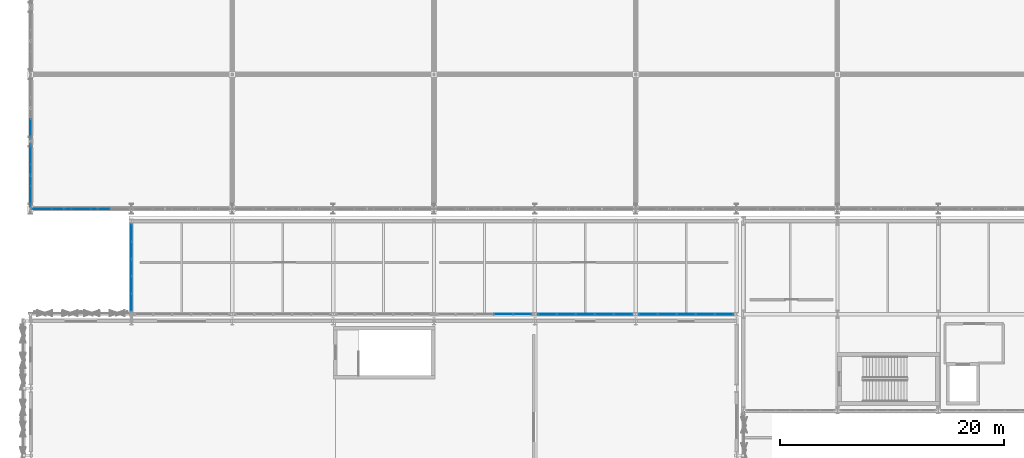
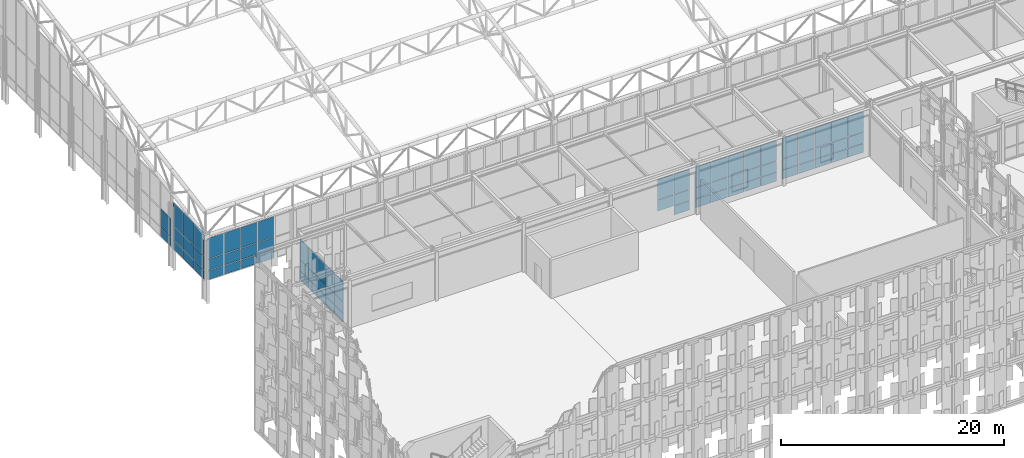
# One storey, part 179 of 239: 73 plates, 7 elements without a shape of their own.
"""IFC4 building model written with IfcOpenShell, lengths in metres."""

from ifc_helpers import new_model, si_unit, direction, frame, origin, origin_2d, place, context, subcontext, project, spatial, rectangle, extrude, material, type_object, element, aggregate, save


model = new_model("IFC4")

# Units and contexts
model_context = context("Model", 3, precision=1e-05, world=origin(), true_north=direction((0.0, 1.0)))
body_context = subcontext(model_context, "Body", "Model", "MODEL_VIEW")
ifc_project = project(units=[si_unit("LENGTHUNIT", "METRE"), si_unit("AREAUNIT", "SQUARE_METRE"), si_unit("VOLUMEUNIT", "CUBIC_METRE"), si_unit("PLANEANGLEUNIT", "RADIAN"), si_unit("MASSUNIT", "GRAM", prefix="KILO")], contexts=[model_context])

# Site, building, storey
site_placement = place(None, origin())
site = spatial("IfcSite", under=ifc_project, at=site_placement, CompositionType="ELEMENT")
building_placement = place(site_placement, origin())
building = spatial("IfcBuilding", under=site, at=building_placement, Name="Kaldris Quays Convention Centre", CompositionType="ELEMENT")
storey_placement = place(building_placement, frame((0.0, 0.0, 11.39990234375)))
storey = spatial("IfcBuildingStorey", under=building, at=storey_placement, Name="L02", CompositionType="ELEMENT", Elevation=11.39990234375)

# Curtain wall, plates
ifc_material_1 = material(Name="Anodized aluminium AW-6060 and triple glazing", Category="aluminium")
curtain_wall_type_1 = type_object("IfcCurtainWallType", Name="UNITISED CURTAIN WALL CW03", PredefinedType="NOTDEFINED", material=ifc_material_1)
curtain_wall_1_placement = place(storey_placement, origin())
curtain_wall_1 = element("IfcCurtainWall", 1, at=curtain_wall_1_placement, inside=storey, type_object=curtain_wall_type_1, Name="L02 Unitised Curtain Wall CW03 227", PredefinedType="NOTDEFINED")
ifc_material_2 = material(Name="Triple low-E insulated glazing", Category="glass")
plate_type_1 = type_object("IfcPlateType", Name="CURTAIN GLAZING PANEL CWP3", PredefinedType="CURTAIN_PANEL", material=ifc_material_2)
plate_1_placement = place(storey_placement, frame((21.027099609375, 56.0, 2.255126953125), z_axis=(0.0, 0.0, 1.0), x_axis=(1.0, 0.0, 0.0)))
plate_1 = element("IfcPlate", 2, at=plate_1_placement, type_object=plate_type_1, Name="CW03 panel 1.1", PredefinedType="CURTAIN_PANEL", context=body_context, shape_type="SweptSolid", body=[
    extrude(rectangle(XDim=1.654052734375, YDim=0.0390625, at=origin_2d()), origin(), (0.0, 0.0, 1.0), 0.9599609375),
])
plate_2_placement = place(storey_placement, frame((21.027099609375, 56.0, 3.27490234375), z_axis=(0.0, 0.0, 1.0), x_axis=(1.0, 0.0, 0.0)))
plate_2 = element("IfcPlate", 3, at=plate_2_placement, type_object=plate_type_1, Name="CW03 panel 1.2", PredefinedType="CURTAIN_PANEL", context=body_context, shape_type="SweptSolid", body=[
    extrude(rectangle(XDim=1.654052734375, YDim=0.0390625, at=origin_2d()), origin(), (0.0, 0.0, 1.0), 1.217041015625),
])
plate_3_placement = place(storey_placement, frame((21.027099609375, 56.0, 4.55224609375), z_axis=(0.0, 0.0, 1.0), x_axis=(1.0, 0.0, 0.0)))
plate_3 = element("IfcPlate", 4, at=plate_3_placement, type_object=plate_type_1, Name="CW03 panel 1.3", PredefinedType="CURTAIN_PANEL", context=body_context, shape_type="SweptSolid", body=[
    extrude(rectangle(XDim=1.654052734375, YDim=0.0390625, at=origin_2d()), origin(), (0.0, 0.0, 1.0), 2.238037109375),
])
plate_4_placement = place(storey_placement, frame((22.756103515625, 56.0, 2.255126953125), z_axis=(0.0, 0.0, 1.0), x_axis=(1.0, 0.0, 0.0)))
plate_4 = element("IfcPlate", 5, at=plate_4_placement, type_object=plate_type_1, Name="CW03 panel 2.1", PredefinedType="CURTAIN_PANEL", context=body_context, shape_type="SweptSolid", body=[
    extrude(rectangle(XDim=1.68408203125, YDim=0.0390625, at=origin_2d()), origin(), (0.0, 0.0, 1.0), 0.9599609375),
])
plate_5_placement = place(storey_placement, frame((22.756103515625, 56.0, 3.27490234375), z_axis=(0.0, 0.0, 1.0), x_axis=(1.0, 0.0, 0.0)))
plate_5 = element("IfcPlate", 6, at=plate_5_placement, type_object=plate_type_1, Name="CW03 panel 2.2", PredefinedType="CURTAIN_PANEL", context=body_context, shape_type="SweptSolid", body=[
    extrude(rectangle(XDim=1.68408203125, YDim=0.0390625, at=origin_2d()), origin(), (0.0, 0.0, 1.0), 1.217041015625),
])
plate_6_placement = place(storey_placement, frame((22.756103515625, 56.0, 4.55224609375), z_axis=(0.0, 0.0, 1.0), x_axis=(1.0, 0.0, 0.0)))
plate_6 = element("IfcPlate", 7, at=plate_6_placement, type_object=plate_type_1, Name="CW03 panel 2.3", PredefinedType="CURTAIN_PANEL", context=body_context, shape_type="SweptSolid", body=[
    extrude(rectangle(XDim=1.68408203125, YDim=0.0390625, at=origin_2d()), origin(), (0.0, 0.0, 1.0), 2.238037109375),
])
plate_7_placement = place(storey_placement, frame((24.5, 56.0, 2.255126953125), z_axis=(0.0, 0.0, 1.0), x_axis=(1.0, 0.0, 0.0)))
plate_7 = element("IfcPlate", 8, at=plate_7_placement, type_object=plate_type_1, Name="CW03 panel 3.1", PredefinedType="CURTAIN_PANEL", context=body_context, shape_type="SweptSolid", body=[
    extrude(rectangle(XDim=1.68408203125, YDim=0.0390625, at=origin_2d()), origin(), (0.0, 0.0, 1.0), 0.9599609375),
])
plate_8_placement = place(storey_placement, frame((24.5, 56.0, 3.27490234375), z_axis=(0.0, 0.0, 1.0), x_axis=(1.0, 0.0, 0.0)))
plate_8 = element("IfcPlate", 9, at=plate_8_placement, type_object=plate_type_1, Name="CW03 panel 3.2", PredefinedType="CURTAIN_PANEL", context=body_context, shape_type="SweptSolid", body=[
    extrude(rectangle(XDim=1.68408203125, YDim=0.0390625, at=origin_2d()), origin(), (0.0, 0.0, 1.0), 1.217041015625),
])
plate_9_placement = place(storey_placement, frame((24.5, 56.0, 4.55224609375), z_axis=(0.0, 0.0, 1.0), x_axis=(1.0, 0.0, 0.0)))
plate_9 = element("IfcPlate", 10, at=plate_9_placement, type_object=plate_type_1, Name="CW03 panel 3.3", PredefinedType="CURTAIN_PANEL", context=body_context, shape_type="SweptSolid", body=[
    extrude(rectangle(XDim=1.68408203125, YDim=0.0390625, at=origin_2d()), origin(), (0.0, 0.0, 1.0), 2.238037109375),
])
plate_10_placement = place(storey_placement, frame((26.243896484375, 56.0, 2.255126953125), z_axis=(0.0, 0.0, 1.0), x_axis=(1.0, 0.0, 0.0)))
plate_10 = element("IfcPlate", 11, at=plate_10_placement, type_object=plate_type_1, Name="CW03 panel 4.1", PredefinedType="CURTAIN_PANEL", context=body_context, shape_type="SweptSolid", body=[
    extrude(rectangle(XDim=1.68408203125, YDim=0.0390625, at=origin_2d()), origin(), (0.0, 0.0, 1.0), 0.9599609375),
])
plate_11_placement = place(storey_placement, frame((26.243896484375, 56.0, 3.27490234375), z_axis=(0.0, 0.0, 1.0), x_axis=(1.0, 0.0, 0.0)))
plate_11 = element("IfcPlate", 12, at=plate_11_placement, type_object=plate_type_1, Name="CW03 panel 4.2", PredefinedType="CURTAIN_PANEL", context=body_context, shape_type="SweptSolid", body=[
    extrude(rectangle(XDim=1.68408203125, YDim=0.0390625, at=origin_2d()), origin(), (0.0, 0.0, 1.0), 1.217041015625),
])
plate_12_placement = place(storey_placement, frame((26.243896484375, 56.0, 4.55224609375), z_axis=(0.0, 0.0, 1.0), x_axis=(1.0, 0.0, 0.0)))
plate_12 = element("IfcPlate", 13, at=plate_12_placement, type_object=plate_type_1, Name="CW03 panel 4.3", PredefinedType="CURTAIN_PANEL", context=body_context, shape_type="SweptSolid", body=[
    extrude(rectangle(XDim=1.68408203125, YDim=0.0390625, at=origin_2d()), origin(), (0.0, 0.0, 1.0), 2.238037109375),
])
aggregate(curtain_wall_1, [plate_1, plate_2, plate_3, plate_4, plate_5, plate_6, plate_7, plate_8, plate_9, plate_10, plate_11, plate_12])

curtain_wall_type_2 = type_object("IfcCurtainWallType", Name="UNITISED CURTAIN WALL CW02", PredefinedType="NOTDEFINED", material=ifc_material_1)
curtain_wall_2_placement = place(storey_placement, origin())
curtain_wall_2 = element("IfcCurtainWall", 14, at=curtain_wall_2_placement, inside=storey, type_object=curtain_wall_type_2, Name="L02 Unitised Curtain Wall CW02 100", PredefinedType="NOTDEFINED")
plate_type_2 = type_object("IfcPlateType", Name="CURTAIN GLAZING PANEL CWP4", PredefinedType="CURTAIN_PANEL", material=ifc_material_2)
plate_13_placement = place(storey_placement, frame((62.199951171875, 46.60009765625, 1.080078125), z_axis=(0.0, 0.0, 1.0), x_axis=(1.0, 0.0, 0.0)))
plate_13 = element("IfcPlate", 15, at=plate_13_placement, type_object=plate_type_2, Name="CW02 panel 4.2", PredefinedType="CURTAIN_PANEL", context=body_context, shape_type="SweptSolid", body=[
    extrude(rectangle(XDim=1.639892578125, YDim=0.0439453125, at=origin_2d()), origin(), (0.0, 0.0, 1.0), 1.178955078125),
])
plate_14_placement = place(storey_placement, frame((62.199951171875, 46.60009765625, 2.3193359375), z_axis=(0.0, 0.0, 1.0), x_axis=(1.0, 0.0, 0.0)))
plate_14 = element("IfcPlate", 16, at=plate_14_placement, type_object=plate_type_2, Name="CW02 panel 4.3", PredefinedType="CURTAIN_PANEL", context=body_context, shape_type="SweptSolid", body=[
    extrude(rectangle(XDim=1.639892578125, YDim=0.0439453125, at=origin_2d()), origin(), (0.0, 0.0, 1.0), 2.198974609375),
])
plate_15_placement = place(storey_placement, frame((63.885009765625, 46.60009765625, 0.06005859375), z_axis=(0.0, 0.0, 1.0), x_axis=(1.0, 0.0, 0.0)))
plate_15 = element("IfcPlate", 17, at=plate_15_placement, type_object=plate_type_2, Name="CW02 panel 5.1", PredefinedType="CURTAIN_PANEL", context=body_context, shape_type="SweptSolid", body=[
    extrude(rectangle(XDim=1.610107421875, YDim=0.0439453125, at=origin_2d()), origin(), (0.0, 0.0, 1.0), 0.9599609375),
])
plate_16_placement = place(storey_placement, frame((63.885009765625, 46.60009765625, 1.080078125), z_axis=(0.0, 0.0, 1.0), x_axis=(1.0, 0.0, 0.0)))
plate_16 = element("IfcPlate", 18, at=plate_16_placement, type_object=plate_type_2, Name="CW02 panel 5.2", PredefinedType="CURTAIN_PANEL", context=body_context, shape_type="SweptSolid", body=[
    extrude(rectangle(XDim=1.610107421875, YDim=0.0439453125, at=origin_2d()), origin(), (0.0, 0.0, 1.0), 1.178955078125),
])
plate_17_placement = place(storey_placement, frame((63.885009765625, 46.60009765625, 2.3193359375), z_axis=(0.0, 0.0, 1.0), x_axis=(1.0, 0.0, 0.0)))
plate_17 = element("IfcPlate", 19, at=plate_17_placement, type_object=plate_type_2, Name="CW02 panel 5.3", PredefinedType="CURTAIN_PANEL", context=body_context, shape_type="SweptSolid", body=[
    extrude(rectangle(XDim=1.610107421875, YDim=0.0439453125, at=origin_2d()), origin(), (0.0, 0.0, 1.0), 2.198974609375),
])
aggregate(curtain_wall_2, [plate_13, plate_14, plate_15, plate_16, plate_17])

curtain_wall_3_placement = place(storey_placement, origin())
curtain_wall_3 = element("IfcCurtainWall", 20, at=curtain_wall_3_placement, inside=storey, type_object=curtain_wall_type_2, Name="L02 Unitised Curtain Wall CW02 101", PredefinedType="NOTDEFINED")
plate_type_3 = type_object("IfcPlateType", Name="CURTAIN GLAZING PANEL CWP5", PredefinedType="CURTAIN_PANEL", material=ifc_material_2)
plate_18_placement = place(storey_placement, frame((66.114990234375, 46.60009765625, 0.06005859375), z_axis=(0.0, 0.0, 1.0), x_axis=(1.0, 0.0, 0.0)))
plate_18 = element("IfcPlate", 21, at=plate_18_placement, type_object=plate_type_3, Name="CW02 panel 1.1", PredefinedType="CURTAIN_PANEL", context=body_context, shape_type="SweptSolid", body=[
    extrude(rectangle(XDim=1.610107421875, YDim=0.049072265625, at=origin_2d()), origin(), (0.0, 0.0, 1.0), 0.9599609375),
])
plate_19_placement = place(storey_placement, frame((66.114990234375, 46.60009765625, 1.080078125), z_axis=(0.0, 0.0, 1.0), x_axis=(1.0, 0.0, 0.0)))
plate_19 = element("IfcPlate", 22, at=plate_19_placement, type_object=plate_type_3, Name="CW02 panel 1.2", PredefinedType="CURTAIN_PANEL", context=body_context, shape_type="SweptSolid", body=[
    extrude(rectangle(XDim=1.610107421875, YDim=0.049072265625, at=origin_2d()), origin(), (0.0, 0.0, 1.0), 1.178955078125),
])
plate_20_placement = place(storey_placement, frame((66.114990234375, 46.60009765625, 2.3193359375), z_axis=(0.0, 0.0, 1.0), x_axis=(1.0, 0.0, 0.0)))
plate_20 = element("IfcPlate", 23, at=plate_20_placement, type_object=plate_type_3, Name="CW02 panel 1.3", PredefinedType="CURTAIN_PANEL", context=body_context, shape_type="SweptSolid", body=[
    extrude(rectangle(XDim=1.610107421875, YDim=0.049072265625, at=origin_2d()), origin(), (0.0, 0.0, 1.0), 2.198974609375),
])
plate_21_placement = place(storey_placement, frame((67.800048828125, 46.60009765625, 0.06005859375), z_axis=(0.0, 0.0, 1.0), x_axis=(1.0, 0.0, 0.0)))
plate_21 = element("IfcPlate", 24, at=plate_21_placement, type_object=plate_type_3, Name="CW02 panel 2.1", PredefinedType="CURTAIN_PANEL", context=body_context, shape_type="SweptSolid", body=[
    extrude(rectangle(XDim=1.639892578125, YDim=0.049072265625, at=origin_2d()), origin(), (0.0, 0.0, 1.0), 0.9599609375),
])
plate_22_placement = place(storey_placement, frame((67.800048828125, 46.60009765625, 1.080078125), z_axis=(0.0, 0.0, 1.0), x_axis=(1.0, 0.0, 0.0)))
plate_22 = element("IfcPlate", 25, at=plate_22_placement, type_object=plate_type_3, Name="CW02 panel 2.2", PredefinedType="CURTAIN_PANEL", context=body_context, shape_type="SweptSolid", body=[
    extrude(rectangle(XDim=1.639892578125, YDim=0.049072265625, at=origin_2d()), origin(), (0.0, 0.0, 1.0), 1.178955078125),
])
plate_23_placement = place(storey_placement, frame((67.800048828125, 46.60009765625, 2.3193359375), z_axis=(0.0, 0.0, 1.0), x_axis=(1.0, 0.0, 0.0)))
plate_23 = element("IfcPlate", 26, at=plate_23_placement, type_object=plate_type_3, Name="CW02 panel 2.3", PredefinedType="CURTAIN_PANEL", context=body_context, shape_type="SweptSolid", body=[
    extrude(rectangle(XDim=1.639892578125, YDim=0.049072265625, at=origin_2d()), origin(), (0.0, 0.0, 1.0), 2.198974609375),
])
plate_24_placement = place(storey_placement, frame((69.5, 46.60009765625, 0.06005859375), z_axis=(0.0, 0.0, 1.0), x_axis=(1.0, 0.0, 0.0)))
plate_24 = element("IfcPlate", 27, at=plate_24_placement, type_object=plate_type_3, Name="CW02 panel 3.1", PredefinedType="CURTAIN_PANEL", context=body_context, shape_type="SweptSolid", body=[
    extrude(rectangle(XDim=1.639892578125, YDim=0.049072265625, at=origin_2d()), origin(), (0.0, 0.0, 1.0), 0.9599609375),
])
plate_25_placement = place(storey_placement, frame((69.5, 46.60009765625, 1.080078125), z_axis=(0.0, 0.0, 1.0), x_axis=(1.0, 0.0, 0.0)))
plate_25 = element("IfcPlate", 28, at=plate_25_placement, type_object=plate_type_3, Name="CW02 panel 3.2", PredefinedType="CURTAIN_PANEL", context=body_context, shape_type="SweptSolid", body=[
    extrude(rectangle(XDim=1.639892578125, YDim=0.049072265625, at=origin_2d()), origin(), (0.0, 0.0, 1.0), 1.178955078125),
])
plate_26_placement = place(storey_placement, frame((69.5, 46.60009765625, 2.3193359375), z_axis=(0.0, 0.0, 1.0), x_axis=(1.0, 0.0, 0.0)))
plate_26 = element("IfcPlate", 29, at=plate_26_placement, type_object=plate_type_3, Name="CW02 panel 3.3", PredefinedType="CURTAIN_PANEL", context=body_context, shape_type="SweptSolid", body=[
    extrude(rectangle(XDim=1.639892578125, YDim=0.049072265625, at=origin_2d()), origin(), (0.0, 0.0, 1.0), 2.198974609375),
])
plate_27_placement = place(storey_placement, frame((71.199951171875, 46.60009765625, 0.06005859375), z_axis=(0.0, 0.0, 1.0), x_axis=(1.0, 0.0, 0.0)))
plate_27 = element("IfcPlate", 30, at=plate_27_placement, type_object=plate_type_3, Name="CW02 panel 4.1", PredefinedType="CURTAIN_PANEL", context=body_context, shape_type="SweptSolid", body=[
    extrude(rectangle(XDim=1.639892578125, YDim=0.049072265625, at=origin_2d()), origin(), (0.0, 0.0, 1.0), 0.9599609375),
])
plate_28_placement = place(storey_placement, frame((71.199951171875, 46.60009765625, 1.080078125), z_axis=(0.0, 0.0, 1.0), x_axis=(1.0, 0.0, 0.0)))
plate_28 = element("IfcPlate", 31, at=plate_28_placement, type_object=plate_type_3, Name="CW02 panel 4.2", PredefinedType="CURTAIN_PANEL", context=body_context, shape_type="SweptSolid", body=[
    extrude(rectangle(XDim=1.639892578125, YDim=0.049072265625, at=origin_2d()), origin(), (0.0, 0.0, 1.0), 1.178955078125),
])
plate_29_placement = place(storey_placement, frame((71.199951171875, 46.60009765625, 2.3193359375), z_axis=(0.0, 0.0, 1.0), x_axis=(1.0, 0.0, 0.0)))
plate_29 = element("IfcPlate", 32, at=plate_29_placement, type_object=plate_type_3, Name="CW02 panel 4.3", PredefinedType="CURTAIN_PANEL", context=body_context, shape_type="SweptSolid", body=[
    extrude(rectangle(XDim=1.639892578125, YDim=0.049072265625, at=origin_2d()), origin(), (0.0, 0.0, 1.0), 2.198974609375),
])
plate_30_placement = place(storey_placement, frame((72.885009765625, 46.60009765625, 0.06005859375), z_axis=(0.0, 0.0, 1.0), x_axis=(1.0, 0.0, 0.0)))
plate_30 = element("IfcPlate", 33, at=plate_30_placement, type_object=plate_type_3, Name="CW02 panel 5.1", PredefinedType="CURTAIN_PANEL", context=body_context, shape_type="SweptSolid", body=[
    extrude(rectangle(XDim=1.610107421875, YDim=0.049072265625, at=origin_2d()), origin(), (0.0, 0.0, 1.0), 0.9599609375),
])
plate_31_placement = place(storey_placement, frame((72.885009765625, 46.60009765625, 1.080078125), z_axis=(0.0, 0.0, 1.0), x_axis=(1.0, 0.0, 0.0)))
plate_31 = element("IfcPlate", 34, at=plate_31_placement, type_object=plate_type_3, Name="CW02 panel 5.2", PredefinedType="CURTAIN_PANEL", context=body_context, shape_type="SweptSolid", body=[
    extrude(rectangle(XDim=1.610107421875, YDim=0.049072265625, at=origin_2d()), origin(), (0.0, 0.0, 1.0), 1.178955078125),
])
plate_32_placement = place(storey_placement, frame((72.885009765625, 46.60009765625, 2.3193359375), z_axis=(0.0, 0.0, 1.0), x_axis=(1.0, 0.0, 0.0)))
plate_32 = element("IfcPlate", 35, at=plate_32_placement, type_object=plate_type_3, Name="CW02 panel 5.3", PredefinedType="CURTAIN_PANEL", context=body_context, shape_type="SweptSolid", body=[
    extrude(rectangle(XDim=1.610107421875, YDim=0.049072265625, at=origin_2d()), origin(), (0.0, 0.0, 1.0), 2.198974609375),
])
aggregate(curtain_wall_3, [plate_18, plate_19, plate_20, plate_21, plate_22, plate_23, plate_24, plate_25, plate_26, plate_27, plate_28, plate_29, plate_30, plate_31, plate_32])

curtain_wall_4_placement = place(storey_placement, origin())
curtain_wall_4 = element("IfcCurtainWall", 36, at=curtain_wall_4_placement, inside=storey, type_object=curtain_wall_type_1, Name="L02 Unitised Curtain Wall CW03 213", PredefinedType="NOTDEFINED")
plate_33_placement = place(storey_placement, frame((20.0, 57.1083984375, 2.255126953125), z_axis=(0.0, 0.0, 1.0), x_axis=(0.0, 1.0, 0.0)))
plate_33 = element("IfcPlate", 37, at=plate_33_placement, type_object=plate_type_3, Name="CW03 panel 1.1", PredefinedType="CURTAIN_PANEL", context=body_context, shape_type="SweptSolid", body=[
    extrude(rectangle(XDim=1.816650390625, YDim=0.049072265625, at=origin_2d()), origin(), (0.0, 0.0, 1.0), 0.9599609375),
])
plate_34_placement = place(storey_placement, frame((20.0, 57.1083984375, 3.275146484375), z_axis=(0.0, 0.0, 1.0), x_axis=(0.0, 1.0, 0.0)))
plate_34 = element("IfcPlate", 38, at=plate_34_placement, type_object=plate_type_3, Name="CW03 panel 1.2", PredefinedType="CURTAIN_PANEL", context=body_context, shape_type="SweptSolid", body=[
    extrude(rectangle(XDim=1.816650390625, YDim=0.049072265625, at=origin_2d()), origin(), (0.0, 0.0, 1.0), 1.47509765625),
])
plate_35_placement = place(storey_placement, frame((20.0, 57.1083984375, 4.81005859375), z_axis=(0.0, 0.0, 1.0), x_axis=(0.0, 1.0, 0.0)))
plate_35 = element("IfcPlate", 39, at=plate_35_placement, type_object=plate_type_3, Name="CW03 panel 1.3", PredefinedType="CURTAIN_PANEL", context=body_context, shape_type="SweptSolid", body=[
    extrude(rectangle(XDim=1.816650390625, YDim=0.049072265625, at=origin_2d()), origin(), (0.0, 0.0, 1.0), 2.493896484375),
])
plate_36_placement = place(storey_placement, frame((20.0, 59.0, 2.255126953125), z_axis=(0.0, 0.0, 1.0), x_axis=(0.0, 1.0, 0.0)))
plate_36 = element("IfcPlate", 40, at=plate_36_placement, type_object=plate_type_3, Name="CW03 panel 2.1", PredefinedType="CURTAIN_PANEL", context=body_context, shape_type="SweptSolid", body=[
    extrude(rectangle(XDim=1.8466796875, YDim=0.049072265625, at=origin_2d()), origin(), (0.0, 0.0, 1.0), 0.9599609375),
])
plate_37_placement = place(storey_placement, frame((20.0, 59.0, 3.275146484375), z_axis=(0.0, 0.0, 1.0), x_axis=(0.0, 1.0, 0.0)))
plate_37 = element("IfcPlate", 41, at=plate_37_placement, type_object=plate_type_3, Name="CW03 panel 2.2", PredefinedType="CURTAIN_PANEL", context=body_context, shape_type="SweptSolid", body=[
    extrude(rectangle(XDim=1.8466796875, YDim=0.049072265625, at=origin_2d()), origin(), (0.0, 0.0, 1.0), 1.47509765625),
])
plate_38_placement = place(storey_placement, frame((20.0, 59.0, 4.81005859375), z_axis=(0.0, 0.0, 1.0), x_axis=(0.0, 1.0, 0.0)))
plate_38 = element("IfcPlate", 42, at=plate_38_placement, type_object=plate_type_3, Name="CW03 panel 2.3", PredefinedType="CURTAIN_PANEL", context=body_context, shape_type="SweptSolid", body=[
    extrude(rectangle(XDim=1.8466796875, YDim=0.049072265625, at=origin_2d()), origin(), (0.0, 0.0, 1.0), 2.493896484375),
])
plate_39_placement = place(storey_placement, frame((20.0, 60.8916015625, 2.255126953125), z_axis=(0.0, 0.0, 1.0), x_axis=(0.0, 1.0, 0.0)))
plate_39 = element("IfcPlate", 43, at=plate_39_placement, type_object=plate_type_3, Name="CW03 panel 3.1", PredefinedType="CURTAIN_PANEL", context=body_context, shape_type="SweptSolid", body=[
    extrude(rectangle(XDim=1.816650390625, YDim=0.049072265625, at=origin_2d()), origin(), (0.0, 0.0, 1.0), 0.9599609375),
])
plate_40_placement = place(storey_placement, frame((20.0, 60.8916015625, 3.275146484375), z_axis=(0.0, 0.0, 1.0), x_axis=(0.0, 1.0, 0.0)))
plate_40 = element("IfcPlate", 44, at=plate_40_placement, type_object=plate_type_3, Name="CW03 panel 3.2", PredefinedType="CURTAIN_PANEL", context=body_context, shape_type="SweptSolid", body=[
    extrude(rectangle(XDim=1.816650390625, YDim=0.049072265625, at=origin_2d()), origin(), (0.0, 0.0, 1.0), 1.47509765625),
])
plate_41_placement = place(storey_placement, frame((20.0, 60.8916015625, 4.81005859375), z_axis=(0.0, 0.0, 1.0), x_axis=(0.0, 1.0, 0.0)))
plate_41 = element("IfcPlate", 45, at=plate_41_placement, type_object=plate_type_3, Name="CW03 panel 3.3", PredefinedType="CURTAIN_PANEL", context=body_context, shape_type="SweptSolid", body=[
    extrude(rectangle(XDim=1.816650390625, YDim=0.049072265625, at=origin_2d()), origin(), (0.0, 0.0, 1.0), 2.493896484375),
])
aggregate(curtain_wall_4, [plate_33, plate_34, plate_35, plate_36, plate_37, plate_38, plate_39, plate_40, plate_41])

curtain_wall_5_placement = place(storey_placement, origin())
curtain_wall_5 = element("IfcCurtainWall", 46, at=curtain_wall_5_placement, inside=storey, type_object=curtain_wall_type_2, Name="L02 Unitised Curtain Wall CW02 102", PredefinedType="NOTDEFINED")
plate_type_4 = type_object("IfcPlateType", Name="CURTAIN GLAZING PANEL CWP6", PredefinedType="CURTAIN_PANEL", material=ifc_material_2)
plate_42_placement = place(storey_placement, frame((75.114990234375, 46.60009765625, 0.06005859375), z_axis=(0.0, 0.0, 1.0), x_axis=(1.0, 0.0, 0.0)))
plate_42 = element("IfcPlate", 47, at=plate_42_placement, type_object=plate_type_4, Name="CW02 panel 1.1", PredefinedType="CURTAIN_PANEL", context=body_context, shape_type="SweptSolid", body=[
    extrude(rectangle(XDim=1.610107421875, YDim=0.053955078125, at=origin_2d()), origin(), (0.0, 0.0, 1.0), 0.9599609375),
])
plate_43_placement = place(storey_placement, frame((75.114990234375, 46.60009765625, 1.080078125), z_axis=(0.0, 0.0, 1.0), x_axis=(1.0, 0.0, 0.0)))
plate_43 = element("IfcPlate", 48, at=plate_43_placement, type_object=plate_type_4, Name="CW02 panel 1.2", PredefinedType="CURTAIN_PANEL", context=body_context, shape_type="SweptSolid", body=[
    extrude(rectangle(XDim=1.610107421875, YDim=0.053955078125, at=origin_2d()), origin(), (0.0, 0.0, 1.0), 1.178955078125),
])
plate_44_placement = place(storey_placement, frame((75.114990234375, 46.60009765625, 2.3193359375), z_axis=(0.0, 0.0, 1.0), x_axis=(1.0, 0.0, 0.0)))
plate_44 = element("IfcPlate", 49, at=plate_44_placement, type_object=plate_type_4, Name="CW02 panel 1.3", PredefinedType="CURTAIN_PANEL", context=body_context, shape_type="SweptSolid", body=[
    extrude(rectangle(XDim=1.610107421875, YDim=0.053955078125, at=origin_2d()), origin(), (0.0, 0.0, 1.0), 2.198974609375),
])
plate_45_placement = place(storey_placement, frame((76.800048828125, 46.60009765625, 0.06005859375), z_axis=(0.0, 0.0, 1.0), x_axis=(1.0, 0.0, 0.0)))
plate_45 = element("IfcPlate", 50, at=plate_45_placement, type_object=plate_type_4, Name="CW02 panel 2.1", PredefinedType="CURTAIN_PANEL", context=body_context, shape_type="SweptSolid", body=[
    extrude(rectangle(XDim=1.639892578125, YDim=0.053955078125, at=origin_2d()), origin(), (0.0, 0.0, 1.0), 0.9599609375),
])
plate_46_placement = place(storey_placement, frame((76.800048828125, 46.60009765625, 1.080078125), z_axis=(0.0, 0.0, 1.0), x_axis=(1.0, 0.0, 0.0)))
plate_46 = element("IfcPlate", 51, at=plate_46_placement, type_object=plate_type_4, Name="CW02 panel 2.2", PredefinedType="CURTAIN_PANEL", context=body_context, shape_type="SweptSolid", body=[
    extrude(rectangle(XDim=1.639892578125, YDim=0.053955078125, at=origin_2d()), origin(), (0.0, 0.0, 1.0), 1.178955078125),
])
plate_47_placement = place(storey_placement, frame((76.800048828125, 46.60009765625, 2.3193359375), z_axis=(0.0, 0.0, 1.0), x_axis=(1.0, 0.0, 0.0)))
plate_47 = element("IfcPlate", 52, at=plate_47_placement, type_object=plate_type_4, Name="CW02 panel 2.3", PredefinedType="CURTAIN_PANEL", context=body_context, shape_type="SweptSolid", body=[
    extrude(rectangle(XDim=1.639892578125, YDim=0.053955078125, at=origin_2d()), origin(), (0.0, 0.0, 1.0), 2.198974609375),
])
plate_48_placement = place(storey_placement, frame((78.5, 46.60009765625, 0.06005859375), z_axis=(0.0, 0.0, 1.0), x_axis=(1.0, 0.0, 0.0)))
plate_48 = element("IfcPlate", 53, at=plate_48_placement, type_object=plate_type_4, Name="CW02 panel 3.1", PredefinedType="CURTAIN_PANEL", context=body_context, shape_type="SweptSolid", body=[
    extrude(rectangle(XDim=1.639892578125, YDim=0.053955078125, at=origin_2d()), origin(), (0.0, 0.0, 1.0), 0.9599609375),
])
plate_49_placement = place(storey_placement, frame((78.5, 46.60009765625, 1.080078125), z_axis=(0.0, 0.0, 1.0), x_axis=(1.0, 0.0, 0.0)))
plate_49 = element("IfcPlate", 54, at=plate_49_placement, type_object=plate_type_4, Name="CW02 panel 3.2", PredefinedType="CURTAIN_PANEL", context=body_context, shape_type="SweptSolid", body=[
    extrude(rectangle(XDim=1.639892578125, YDim=0.053955078125, at=origin_2d()), origin(), (0.0, 0.0, 1.0), 1.178955078125),
])
plate_50_placement = place(storey_placement, frame((78.5, 46.60009765625, 2.3193359375), z_axis=(0.0, 0.0, 1.0), x_axis=(1.0, 0.0, 0.0)))
plate_50 = element("IfcPlate", 55, at=plate_50_placement, type_object=plate_type_4, Name="CW02 panel 3.3", PredefinedType="CURTAIN_PANEL", context=body_context, shape_type="SweptSolid", body=[
    extrude(rectangle(XDim=1.639892578125, YDim=0.053955078125, at=origin_2d()), origin(), (0.0, 0.0, 1.0), 2.198974609375),
])
plate_51_placement = place(storey_placement, frame((80.199951171875, 46.60009765625, 0.06005859375), z_axis=(0.0, 0.0, 1.0), x_axis=(1.0, 0.0, 0.0)))
plate_51 = element("IfcPlate", 56, at=plate_51_placement, type_object=plate_type_4, Name="CW02 panel 4.1", PredefinedType="CURTAIN_PANEL", context=body_context, shape_type="SweptSolid", body=[
    extrude(rectangle(XDim=1.639892578125, YDim=0.053955078125, at=origin_2d()), origin(), (0.0, 0.0, 1.0), 0.9599609375),
])
plate_52_placement = place(storey_placement, frame((80.199951171875, 46.60009765625, 1.080078125), z_axis=(0.0, 0.0, 1.0), x_axis=(1.0, 0.0, 0.0)))
plate_52 = element("IfcPlate", 57, at=plate_52_placement, type_object=plate_type_4, Name="CW02 panel 4.2", PredefinedType="CURTAIN_PANEL", context=body_context, shape_type="SweptSolid", body=[
    extrude(rectangle(XDim=1.639892578125, YDim=0.053955078125, at=origin_2d()), origin(), (0.0, 0.0, 1.0), 1.178955078125),
])
plate_53_placement = place(storey_placement, frame((80.199951171875, 46.60009765625, 2.3193359375), z_axis=(0.0, 0.0, 1.0), x_axis=(1.0, 0.0, 0.0)))
plate_53 = element("IfcPlate", 58, at=plate_53_placement, type_object=plate_type_4, Name="CW02 panel 4.3", PredefinedType="CURTAIN_PANEL", context=body_context, shape_type="SweptSolid", body=[
    extrude(rectangle(XDim=1.639892578125, YDim=0.053955078125, at=origin_2d()), origin(), (0.0, 0.0, 1.0), 2.198974609375),
])
plate_54_placement = place(storey_placement, frame((81.885009765625, 46.60009765625, 0.06005859375), z_axis=(0.0, 0.0, 1.0), x_axis=(1.0, 0.0, 0.0)))
plate_54 = element("IfcPlate", 59, at=plate_54_placement, type_object=plate_type_4, Name="CW02 panel 5.1", PredefinedType="CURTAIN_PANEL", context=body_context, shape_type="SweptSolid", body=[
    extrude(rectangle(XDim=1.610107421875, YDim=0.053955078125, at=origin_2d()), origin(), (0.0, 0.0, 1.0), 0.9599609375),
])
plate_55_placement = place(storey_placement, frame((81.885009765625, 46.60009765625, 1.080078125), z_axis=(0.0, 0.0, 1.0), x_axis=(1.0, 0.0, 0.0)))
plate_55 = element("IfcPlate", 60, at=plate_55_placement, type_object=plate_type_4, Name="CW02 panel 5.2", PredefinedType="CURTAIN_PANEL", context=body_context, shape_type="SweptSolid", body=[
    extrude(rectangle(XDim=1.610107421875, YDim=0.053955078125, at=origin_2d()), origin(), (0.0, 0.0, 1.0), 1.178955078125),
])
plate_56_placement = place(storey_placement, frame((81.885009765625, 46.60009765625, 2.3193359375), z_axis=(0.0, 0.0, 1.0), x_axis=(1.0, 0.0, 0.0)))
plate_56 = element("IfcPlate", 61, at=plate_56_placement, type_object=plate_type_4, Name="CW02 panel 5.3", PredefinedType="CURTAIN_PANEL", context=body_context, shape_type="SweptSolid", body=[
    extrude(rectangle(XDim=1.610107421875, YDim=0.053955078125, at=origin_2d()), origin(), (0.0, 0.0, 1.0), 2.198974609375),
])
aggregate(curtain_wall_5, [plate_42, plate_43, plate_44, plate_45, plate_46, plate_47, plate_48, plate_49, plate_50, plate_51, plate_52, plate_53, plate_54, plate_55, plate_56])

curtain_wall_6_placement = place(storey_placement, origin())
curtain_wall_6 = element("IfcCurtainWall", 62, at=curtain_wall_6_placement, inside=storey, type_object=curtain_wall_type_1, Name="L02 Unitised Curtain Wall CW03 214", PredefinedType="NOTDEFINED")
plate_57_placement = place(storey_placement, frame((20.0, 63.1083984375, 2.255126953125), z_axis=(0.0, 0.0, 1.0), x_axis=(0.0, 1.0, 0.0)))
plate_57 = element("IfcPlate", 63, at=plate_57_placement, type_object=plate_type_4, Name="CW03 panel 1.1", PredefinedType="CURTAIN_PANEL", context=body_context, shape_type="SweptSolid", body=[
    extrude(rectangle(XDim=1.816650390625, YDim=0.053955078125, at=origin_2d()), origin(), (0.0, 0.0, 1.0), 0.9599609375),
])
plate_58_placement = place(storey_placement, frame((20.0, 63.1083984375, 3.27490234375), z_axis=(0.0, 0.0, 1.0), x_axis=(0.0, 1.0, 0.0)))
plate_58 = element("IfcPlate", 64, at=plate_58_placement, type_object=plate_type_4, Name="CW03 panel 1.2", PredefinedType="CURTAIN_PANEL", context=body_context, shape_type="SweptSolid", body=[
    extrude(rectangle(XDim=1.816650390625, YDim=0.053955078125, at=origin_2d()), origin(), (0.0, 0.0, 1.0), 1.989013671875),
])
aggregate(curtain_wall_6, [plate_57, plate_58])

curtain_wall_7_placement = place(storey_placement, origin())
curtain_wall_7 = element("IfcCurtainWall", 65, at=curtain_wall_7_placement, inside=storey, type_object=curtain_wall_type_2, Name="L02 Unitised Curtain Wall CW02 103", PredefinedType="NOTDEFINED")
plate_type_5 = type_object("IfcPlateType", Name="CURTAIN GLAZING PANEL CWP7", PredefinedType="CURTAIN_PANEL", material=ifc_material_2)
plate_59_placement = place(storey_placement, frame((29.0, 47.64501953125, 0.06005859375), z_axis=(0.0, 0.0, 1.0), x_axis=(0.0, 1.0, 0.0)))
plate_59 = element("IfcPlate", 66, at=plate_59_placement, type_object=plate_type_5, Name="CW02 panel 1.1", PredefinedType="CURTAIN_PANEL", context=body_context, shape_type="SweptSolid", body=[
    extrude(rectangle(XDim=1.469970703125, YDim=0.05908203125, at=origin_2d()), origin(), (0.0, 0.0, 1.0), 0.9599609375),
])
plate_60_placement = place(storey_placement, frame((29.0, 47.64501953125, 1.080078125), z_axis=(0.0, 0.0, 1.0), x_axis=(0.0, 1.0, 0.0)))
plate_60 = element("IfcPlate", 67, at=plate_60_placement, type_object=plate_type_5, Name="CW02 panel 1.2", PredefinedType="CURTAIN_PANEL", context=body_context, shape_type="SweptSolid", body=[
    extrude(rectangle(XDim=1.469970703125, YDim=0.05908203125, at=origin_2d()), origin(), (0.0, 0.0, 1.0), 1.178955078125),
])
plate_61_placement = place(storey_placement, frame((29.0, 47.64501953125, 2.3193359375), z_axis=(0.0, 0.0, 1.0), x_axis=(0.0, 1.0, 0.0)))
plate_61 = element("IfcPlate", 68, at=plate_61_placement, type_object=plate_type_5, Name="CW02 panel 1.3", PredefinedType="CURTAIN_PANEL", context=body_context, shape_type="SweptSolid", body=[
    extrude(rectangle(XDim=1.469970703125, YDim=0.05908203125, at=origin_2d()), origin(), (0.0, 0.0, 1.0), 2.198974609375),
])
plate_62_placement = place(storey_placement, frame((29.0, 49.18994140625, 0.06005859375), z_axis=(0.0, 0.0, 1.0), x_axis=(0.0, 1.0, 0.0)))
plate_62 = element("IfcPlate", 69, at=plate_62_placement, type_object=plate_type_5, Name="CW02 panel 2.1", PredefinedType="CURTAIN_PANEL", context=body_context, shape_type="SweptSolid", body=[
    extrude(rectangle(XDim=1.5, YDim=0.05908203125, at=origin_2d()), origin(), (0.0, 0.0, 1.0), 0.9599609375),
])
plate_63_placement = place(storey_placement, frame((29.0, 49.18994140625, 1.080078125), z_axis=(0.0, 0.0, 1.0), x_axis=(0.0, 1.0, 0.0)))
plate_63 = element("IfcPlate", 70, at=plate_63_placement, type_object=plate_type_5, Name="CW02 panel 2.2", PredefinedType="CURTAIN_PANEL", context=body_context, shape_type="SweptSolid", body=[
    extrude(rectangle(XDim=1.5, YDim=0.05908203125, at=origin_2d()), origin(), (0.0, 0.0, 1.0), 1.178955078125),
])
plate_64_placement = place(storey_placement, frame((29.0, 49.18994140625, 2.3193359375), z_axis=(0.0, 0.0, 1.0), x_axis=(0.0, 1.0, 0.0)))
plate_64 = element("IfcPlate", 71, at=plate_64_placement, type_object=plate_type_5, Name="CW02 panel 2.3", PredefinedType="CURTAIN_PANEL", context=body_context, shape_type="SweptSolid", body=[
    extrude(rectangle(XDim=1.5, YDim=0.05908203125, at=origin_2d()), origin(), (0.0, 0.0, 1.0), 2.198974609375),
])
plate_65_placement = place(storey_placement, frame((29.0, 50.75, 0.06005859375), z_axis=(0.0, 0.0, 1.0), x_axis=(0.0, 1.0, 0.0)))
plate_65 = element("IfcPlate", 72, at=plate_65_placement, type_object=plate_type_5, Name="CW02 panel 3.1", PredefinedType="CURTAIN_PANEL", context=body_context, shape_type="SweptSolid", body=[
    extrude(rectangle(XDim=1.5, YDim=0.05908203125, at=origin_2d()), origin(), (0.0, 0.0, 1.0), 0.9599609375),
])
plate_66_placement = place(storey_placement, frame((29.0, 50.75, 1.080078125), z_axis=(0.0, 0.0, 1.0), x_axis=(0.0, 1.0, 0.0)))
plate_66 = element("IfcPlate", 73, at=plate_66_placement, type_object=plate_type_5, Name="CW02 panel 3.2", PredefinedType="CURTAIN_PANEL", context=body_context, shape_type="SweptSolid", body=[
    extrude(rectangle(XDim=1.5, YDim=0.05908203125, at=origin_2d()), origin(), (0.0, 0.0, 1.0), 1.178955078125),
])
plate_67_placement = place(storey_placement, frame((29.0, 50.75, 2.3193359375), z_axis=(0.0, 0.0, 1.0), x_axis=(0.0, 1.0, 0.0)))
plate_67 = element("IfcPlate", 74, at=plate_67_placement, type_object=plate_type_5, Name="CW02 panel 3.3", PredefinedType="CURTAIN_PANEL", context=body_context, shape_type="SweptSolid", body=[
    extrude(rectangle(XDim=1.5, YDim=0.05908203125, at=origin_2d()), origin(), (0.0, 0.0, 1.0), 2.198974609375),
])
plate_68_placement = place(storey_placement, frame((29.0, 52.31005859375, 0.06005859375), z_axis=(0.0, 0.0, 1.0), x_axis=(0.0, 1.0, 0.0)))
plate_68 = element("IfcPlate", 75, at=plate_68_placement, type_object=plate_type_5, Name="CW02 panel 4.1", PredefinedType="CURTAIN_PANEL", context=body_context, shape_type="SweptSolid", body=[
    extrude(rectangle(XDim=1.5, YDim=0.05908203125, at=origin_2d()), origin(), (0.0, 0.0, 1.0), 0.9599609375),
])
plate_69_placement = place(storey_placement, frame((29.0, 52.31005859375, 1.080078125), z_axis=(0.0, 0.0, 1.0), x_axis=(0.0, 1.0, 0.0)))
plate_69 = element("IfcPlate", 76, at=plate_69_placement, type_object=plate_type_5, Name="CW02 panel 4.2", PredefinedType="CURTAIN_PANEL", context=body_context, shape_type="SweptSolid", body=[
    extrude(rectangle(XDim=1.5, YDim=0.05908203125, at=origin_2d()), origin(), (0.0, 0.0, 1.0), 1.178955078125),
])
plate_70_placement = place(storey_placement, frame((29.0, 52.31005859375, 2.3193359375), z_axis=(0.0, 0.0, 1.0), x_axis=(0.0, 1.0, 0.0)))
plate_70 = element("IfcPlate", 77, at=plate_70_placement, type_object=plate_type_5, Name="CW02 panel 4.3", PredefinedType="CURTAIN_PANEL", context=body_context, shape_type="SweptSolid", body=[
    extrude(rectangle(XDim=1.5, YDim=0.05908203125, at=origin_2d()), origin(), (0.0, 0.0, 1.0), 2.198974609375),
])
plate_71_placement = place(storey_placement, frame((29.0, 53.85498046875, 0.06005859375), z_axis=(0.0, 0.0, 1.0), x_axis=(0.0, 1.0, 0.0)))
plate_71 = element("IfcPlate", 78, at=plate_71_placement, type_object=plate_type_5, Name="CW02 panel 5.1", PredefinedType="CURTAIN_PANEL", context=body_context, shape_type="SweptSolid", body=[
    extrude(rectangle(XDim=1.469970703125, YDim=0.05908203125, at=origin_2d()), origin(), (0.0, 0.0, 1.0), 0.9599609375),
])
plate_72_placement = place(storey_placement, frame((29.0, 53.85498046875, 1.080078125), z_axis=(0.0, 0.0, 1.0), x_axis=(0.0, 1.0, 0.0)))
plate_72 = element("IfcPlate", 79, at=plate_72_placement, type_object=plate_type_5, Name="CW02 panel 5.2", PredefinedType="CURTAIN_PANEL", context=body_context, shape_type="SweptSolid", body=[
    extrude(rectangle(XDim=1.469970703125, YDim=0.05908203125, at=origin_2d()), origin(), (0.0, 0.0, 1.0), 1.178955078125),
])
plate_73_placement = place(storey_placement, frame((29.0, 53.85498046875, 2.3193359375), z_axis=(0.0, 0.0, 1.0), x_axis=(0.0, 1.0, 0.0)))
plate_73 = element("IfcPlate", 80, at=plate_73_placement, type_object=plate_type_5, Name="CW02 panel 5.3", PredefinedType="CURTAIN_PANEL", context=body_context, shape_type="SweptSolid", body=[
    extrude(rectangle(XDim=1.469970703125, YDim=0.05908203125, at=origin_2d()), origin(), (0.0, 0.0, 1.0), 2.198974609375),
])
aggregate(curtain_wall_7, [plate_59, plate_60, plate_61, plate_62, plate_63, plate_64, plate_65, plate_66, plate_67, plate_68, plate_69, plate_70, plate_71, plate_72, plate_73])

save(model, "model.ifc")
